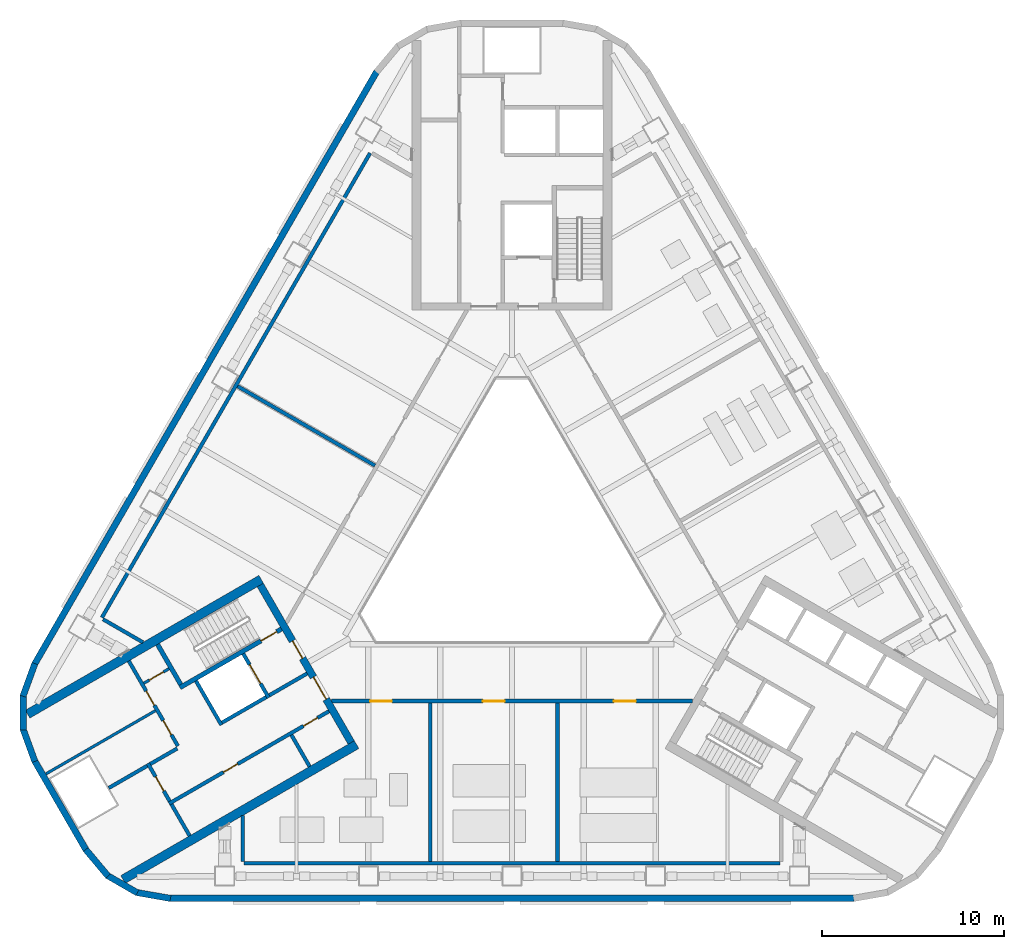
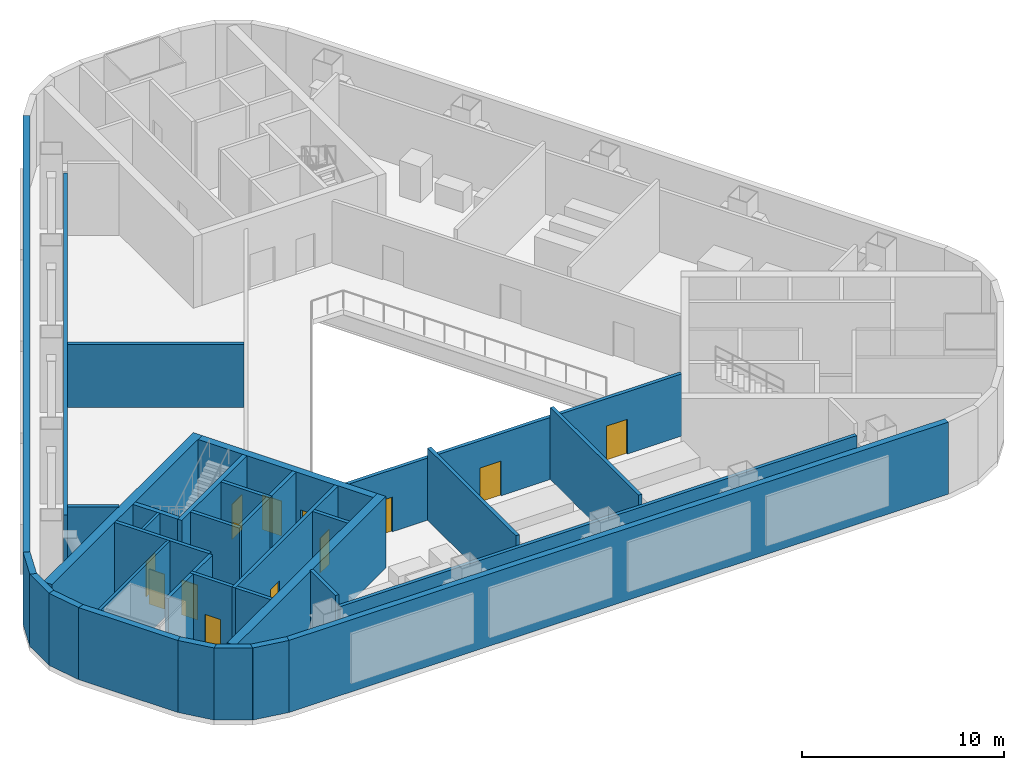
# One storey, part 6 of 14: 35 walls, 13 doors, 13 openings.
"""IFC4 building model written with IfcOpenShell, lengths in metres."""

import ifcopenshell
import ifcopenshell.guid

model = None  # the IFC model being written
_history = None  # IfcOwnerHistory: only IFC2X3 demands one
_inside = {}  # id of a spatial element -> (the spatial element, [elements in it])
_under = {}  # id of a project, library or spatial element -> (it, [spatial elements below it])
_declared = {}  # id of a project -> (the project, [libraries it declares])
_typed = {}  # id of a type object -> (the type object, [elements of that type])
_made_of = {}  # id of a material, layer set ... -> (it, [elements and type objects made of it])


def new_model(schema):
    """Start an empty IFC model of exactly this schema.

    Asked for "IFC4X3", IfcOpenShell would pick the latest addendum, in which some entities
    have other attributes; the version numbers below select the first issue.
    IFC2X3 requires an IfcOwnerHistory on every rooted entity: one is made here for all.
    """
    global model, _history
    if schema == "IFC4X3":
        model = ifcopenshell.file(schema_version=(4, 3, 0, 0))
    else:
        model = ifcopenshell.file(schema=schema)
    _inside.clear()
    _under.clear()
    _declared.clear()
    _typed.clear()
    _made_of.clear()
    _history = None
    if model.schema == "IFC2X3":
        org = make("IfcOrganization", Name="unknown")
        user = make(
            "IfcPersonAndOrganization",
            ThePerson=make("IfcPerson", FamilyName="unknown"),
            TheOrganization=org,
        )
        app = make(
            "IfcApplication",
            ApplicationDeveloper=org,
            Version="unknown",
            ApplicationFullName="unknown",
            ApplicationIdentifier="unknown",
        )
        _history = make(
            "IfcOwnerHistory",
            OwningUser=user,
            OwningApplication=app,
            ChangeAction="ADDED",
            CreationDate=0,
        )
    return model


def make(cls, **values):
    """One entity of the class cls with the attributes given. An attribute that is None is left unset."""
    return model.create_entity(
        cls, **{name: value for name, value in values.items() if value is not None}
    )


def rooted(cls, **values):
    """An entity with a GlobalId (a new one), such as an element, a storey or a relation."""
    return make(cls, GlobalId=ifcopenshell.guid.new(), OwnerHistory=_history, **values)


def si_unit(unit_type, name, prefix=None):
    """IfcSIUnit, for example si_unit("LENGTHUNIT", "METRE", prefix="MILLI")."""
    return make("IfcSIUnit", UnitType=unit_type, Prefix=prefix, Name=name)


def assignment(units):
    """IfcUnitAssignment: the units of a project."""
    return None if units is None else make("IfcUnitAssignment", Units=units)


def point(xyz):
    """IfcCartesianPoint."""
    return None if xyz is None else make("IfcCartesianPoint", Coordinates=xyz)


def direction(xyz):
    """IfcDirection."""
    return None if xyz is None else make("IfcDirection", DirectionRatios=xyz)


def frame(location, z_axis=None, x_axis=None):
    """IfcAxis2Placement3D, a coordinate frame: its origin and axes. An axis left out is left unset."""
    return make(
        "IfcAxis2Placement3D",
        Location=point(location),
        Axis=direction(z_axis),
        RefDirection=direction(x_axis),
    )


def frame_2d(location, x_axis=None):
    """IfcAxis2Placement2D, a coordinate frame in the plane: its origin and x axis."""
    return make(
        "IfcAxis2Placement2D", Location=point(location), RefDirection=direction(x_axis)
    )


def origin():
    """The frame at (0, 0, 0) with its axes left unset."""
    return frame((0.0, 0.0, 0.0))


def place(relative_to, where):
    """IfcLocalPlacement: puts the frame where relative to a parent placement (None: the world)."""
    return make(
        "IfcLocalPlacement", PlacementRelTo=relative_to, RelativePlacement=where
    )


def context(
    kind, dimensions, precision=None, world=None, true_north=None, identifier=None
):
    """IfcGeometricRepresentationContext, for example the 3D "Model" context."""
    return make(
        "IfcGeometricRepresentationContext",
        ContextIdentifier=identifier,
        ContextType=kind,
        CoordinateSpaceDimension=dimensions,
        Precision=precision,
        WorldCoordinateSystem=world,
        TrueNorth=true_north,
    )


def subcontext(parent, identifier, kind, view, scale=None):
    """IfcGeometricRepresentationSubContext, for example "Body" below "Model"."""
    return make(
        "IfcGeometricRepresentationSubContext",
        ContextIdentifier=identifier,
        ContextType=kind,
        ParentContext=parent,
        TargetScale=scale,
        TargetView=view,
    )


def project(units=None, contexts=None):
    """IfcProject with its units and contexts."""
    return rooted(
        "IfcProject",
        Name="project",
        RepresentationContexts=contexts,
        UnitsInContext=assignment(units),
    )


def spatial(cls, under=None, at=None, **own):
    """A site, building, storey or space (cls), placed at a placement, below another one or the project."""
    s = rooted(cls, ObjectPlacement=at, **own)
    if under is not None:
        _under.setdefault(under.id(), (under, []))[1].append(s)
    return s


def profile(cls, at=None, kind="AREA", **sizes):
    """A parametric profile (cls). Its sizes go by their IFC names, for example OverallWidth=200.0."""
    return make(cls, ProfileType=kind, Position=at, **sizes)


def rectangle(**sizes):
    """IfcRectangleProfileDef."""
    return profile("IfcRectangleProfileDef", **sizes)


def extrude(swept, where, along, depth):
    """IfcExtrudedAreaSolid: the profile swept, set in the frame where, extruded along a direction by depth."""
    return make(
        "IfcExtrudedAreaSolid",
        SweptArea=swept,
        Position=where,
        ExtrudedDirection=direction(along),
        Depth=depth,
    )


def shape(context_of_items, identifier, shape_type, items):
    """IfcShapeRepresentation: the items that make up one representation, for example the "Body"."""
    return make(
        "IfcShapeRepresentation",
        ContextOfItems=context_of_items,
        RepresentationIdentifier=identifier,
        RepresentationType=shape_type,
        Items=items,
    )


def material(Name=None, Category=None):
    """IfcMaterial."""
    return make("IfcMaterial", Name=Name, Category=Category)


def layer(
    of_material, thickness, ventilated=None, Name=None, Category=None, Priority=None
):
    """IfcMaterialLayer: one layer of a wall or slab, of a material (None: an air gap)."""
    return make(
        "IfcMaterialLayer",
        Material=of_material,
        LayerThickness=thickness,
        IsVentilated=ventilated,
        Name=Name,
        Category=Category,
        Priority=Priority,
    )


def layer_set(layers, Name=None):
    """IfcMaterialLayerSet."""
    return make("IfcMaterialLayerSet", MaterialLayers=layers, LayerSetName=Name)


def made_of(thing, what):
    """Note that an element or type object is made of a material, layer set ...; save() writes the relation."""
    if what is not None:
        _made_of.setdefault(what.id(), (what, []))[1].append(thing)
    return thing


def type_object(cls, material=None, **own):
    """A type object (cls), such as IfcWallType, which elements share."""
    return made_of(rooted(cls, **own), material)


def element(
    cls,
    number,
    at=None,
    inside=None,
    cuts=None,
    type_object=None,
    material=None,
    context=None,
    identifier="Body",
    shape_type=None,
    held_by="IfcProductDefinitionShape",
    body=None,
    shapes=None,
    **own,
):
    """One element of the class cls, such as IfcWall. Its Tag is "e" and its number.

    at: its placement. inside: the storey or other place that contains it. cuts: it is an
    opening in that element (IfcRelVoidsElement). A single representation is given by context,
    identifier, shape_type and body (its items); several are given by shapes. held_by: the class
    of the entity that holds the representations. save() writes the other relations.
    """
    e = rooted(cls, Tag="e%d" % number, ObjectPlacement=at, **own)
    if body is not None:
        shapes = [shape(context, identifier, shape_type, body)]
    if shapes is not None:
        e.Representation = make(held_by, Representations=shapes)
    if inside is not None:
        _inside.setdefault(inside.id(), (inside, []))[1].append(e)
    if cuts is not None:
        rooted(
            "IfcRelVoidsElement", RelatingBuildingElement=cuts, RelatedOpeningElement=e
        )
    if type_object is not None:
        _typed.setdefault(type_object.id(), (type_object, []))[1].append(e)
    return made_of(e, material)


def fill(opening, filler):
    """IfcRelFillsElement: the door or window that sits in an opening."""
    return rooted(
        "IfcRelFillsElement",
        RelatingOpeningElement=opening,
        RelatedBuildingElement=filler,
    )


def aggregate(whole, parts):
    """IfcRelAggregates: a whole, such as a stair, and the parts it consists of."""
    return rooted("IfcRelAggregates", RelatingObject=whole, RelatedObjects=parts)


def save(model, path):
    """Write the relations noted so far, then the file.

    IfcRelAggregates (storeys below a building ...), IfcRelContainedInSpatialStructure (elements
    in a storey), IfcRelDefinesByType, IfcRelAssociatesMaterial and IfcRelDeclares: one each for
    every whole, place, type object, material and project.
    """
    for whole, parts in _under.values():
        aggregate(whole, parts)
    for where, things in _inside.values():
        rooted(
            "IfcRelContainedInSpatialStructure",
            RelatedElements=things,
            RelatingStructure=where,
        )
    for kind, things in _typed.values():
        rooted("IfcRelDefinesByType", RelatedObjects=things, RelatingType=kind)
    for what, things in _made_of.values():
        rooted("IfcRelAssociatesMaterial", RelatedObjects=things, RelatingMaterial=what)
    for by, libraries in _declared.values():
        rooted("IfcRelDeclares", RelatingContext=by, RelatedDefinitions=libraries)
    model.write(path)


model = new_model("IFC4")

# Units and contexts
model_context = context("Model", 3, precision=1e-05, world=origin(), true_north=direction((0.0, 1.0)))
body_context = subcontext(model_context, "Body", "Model", "MODEL_VIEW")
ifc_project = project(units=[si_unit("LENGTHUNIT", "METRE"), si_unit("AREAUNIT", "SQUARE_METRE"), si_unit("VOLUMEUNIT", "CUBIC_METRE"), si_unit("PLANEANGLEUNIT", "RADIAN"), si_unit("MASSUNIT", "GRAM", prefix="KILO")], contexts=[model_context])

# Site, building, storey
site_placement = place(None, origin())
site = spatial("IfcSite", under=ifc_project, at=site_placement, CompositionType="ELEMENT")
building_placement = place(site_placement, origin())
building = spatial("IfcBuilding", under=site, at=building_placement, Name="Apuvela Tower Hotel", CompositionType="ELEMENT")
storey_placement = place(building_placement, frame((0.0, 0.0, 42.0)))
storey = spatial("IfcBuildingStorey", under=building, at=storey_placement, Name="L07 Plant", CompositionType="ELEMENT", Elevation=42.0)

# Wall, openings, doors
ifc_material_1 = material(Name="Concrete C50/60", Category="concrete")
ifc_layer_1 = layer(ifc_material_1, 0.39990234375)
ifc_layer_set_1 = layer_set([ifc_layer_1], Name="COR-WALL-CORE-400")
wall_type_1 = type_object("IfcWallType", Name="COR-WALL-CORE-400", PredefinedType="SHEAR", material=ifc_layer_set_1)
wall_1_placement = place(storey_placement, frame((-13.844970703125, -2.219970703125, 0.0), z_axis=(0.0, 0.0, 1.0), x_axis=(0.500004234368, -0.866022959057, 0.0)))
wall_1 = element("IfcWall", 1, at=wall_1_placement, inside=storey, type_object=wall_type_1, Name="Core wall SW", PredefinedType="SHEAR", context=body_context, shape_type="SweptSolid", body=[
    extrude(rectangle(XDim=10.0, YDim=0.39990234375, at=frame_2d((5.0, 0.0))), origin(), (0.0, 0.0, 1.0), 4.300048828125),
])
opening_1_placement = place(wall_1_placement, frame((3.550048828125, 0.0, 0.0)))
opening_1 = element("IfcOpeningElement", 2, at=opening_1_placement, cuts=wall_1, Name="Opening W-FD", PredefinedType="OPENING", context=body_context, shape_type="SweptSolid", body=[
    extrude(rectangle(XDim=1.10009765625, YDim=2.10009765625, at=frame_2d((0.550048828125, 1.050048828125))), frame((0.0, 0.2099609375, 0.0), z_axis=(0.0, -1.0, 0.0), x_axis=(1.0, 0.0, 0.0)), (0.0, 0.0, 1.0), 0.419921875),
])
opening_2_placement = place(wall_1_placement, frame((5.85009765625, 0.0, 0.0)))
opening_2 = element("IfcOpeningElement", 3, at=opening_2_placement, cuts=wall_1, Name="Opening W-GD", PredefinedType="OPENING", context=body_context, shape_type="SweptSolid", body=[
    extrude(rectangle(XDim=1.39990234375, YDim=2.10009765625, at=frame_2d((0.699951171875, 1.050048828125))), frame((0.0, 0.2099609375, 0.0), z_axis=(0.0, -1.0, 0.0), x_axis=(1.0, 0.0, 0.0)), (0.0, 0.0, 1.0), 0.419921875),
])
ifc_material_2 = material(Name="Steel fire door, powder coated", Category="steel")
door_type_1 = type_object("IfcDoorType", Name="COR-FD-1100", OperationType="NOTDEFINED", PredefinedType="DOOR", material=ifc_material_2)
door_1_placement = place(opening_1_placement, frame((1.10009765625, 0.0, 0.0), z_axis=(0.0, 0.0, 1.0), x_axis=(-1.0, 0.0, 0.0)))
door_1 = element("IfcDoor", 4, at=door_1_placement, inside=storey, type_object=door_type_1, Name="Firefighting lobby door W-FD", OperationType="SINGLE_SWING_LEFT", OverallHeight=2.10009765625, OverallWidth=1.10009765625, PredefinedType="DOOR", context=body_context, shape_type="SweptSolid", body=[
    extrude(rectangle(XDim=1.10009765625, YDim=2.10009765625, at=frame_2d((0.550048828125, 1.050048828125))), frame((0.0, 0.02490234375, 0.0), z_axis=(0.0, -1.0, 0.0), x_axis=(1.0, 0.0, 0.0)), (0.0, 0.0, 1.0), 0.050048828125),
])
fill(opening_1, door_1)
ifc_material_3 = material(Name="Glazed steel fire door", Category="steel")
door_type_2 = type_object("IfcDoorType", Name="COR-GD-1400", OperationType="DOUBLE_DOOR_SINGLE_SWING", PredefinedType="DOOR", material=ifc_material_3)
door_2_placement = place(opening_2_placement, frame((1.39990234375, 0.0, 0.0), z_axis=(0.0, 0.0, 1.0), x_axis=(-1.0, 0.0, 0.0)))
door_2 = element("IfcDoor", 5, at=door_2_placement, inside=storey, type_object=door_type_2, Name="Lift lobby door W-GD", OperationType="DOUBLE_DOOR_SINGLE_SWING", OverallHeight=2.10009765625, OverallWidth=1.39990234375, PredefinedType="DOOR", context=body_context, shape_type="SweptSolid", body=[
    extrude(rectangle(XDim=1.39990234375, YDim=2.10009765625, at=frame_2d((0.699951171875, 1.050048828125))), frame((0.0, 0.02490234375, 0.0), z_axis=(0.0, -1.0, 0.0), x_axis=(1.0, 0.0, 0.0)), (0.0, 0.0, 1.0), 0.050048828125),
])
fill(opening_2, door_2)

# Walls
ifc_layer_2 = layer(ifc_material_1, 0.5)
ifc_layer_set_2 = layer_set([ifc_layer_2], Name="COR-WALL-CORE-500")
wall_type_2 = type_object("IfcWallType", Name="COR-WALL-CORE-500", PredefinedType="SHEAR", material=ifc_layer_set_2)
for number, where, z_axis, x_axis, name in (
    (6, (-13.796630859375, -1.9033203125, 0.0), (0.0, 0.0, 1.0), (-0.866025009528, -0.500000682871, 0.0), "Core wall SW"),
    (7, (-8.546630859375, -10.99658203125, 0.0), (0.0, 0.0, 1.0), (-0.866025009528, -0.500000682871, 0.0), "Core wall SW"),
):
    element("IfcWall", number, at=place(storey_placement, frame(where, z_axis=z_axis, x_axis=x_axis)), inside=storey, type_object=wall_type_2, Name=name, PredefinedType="SHEAR", context=body_context, shape_type="SweptSolid", body=[
        extrude(rectangle(XDim=14.8369140625, YDim=0.5, at=frame_2d((7.41845703125, 0.0))), origin(), (0.0, 0.0, 1.0), 4.300048828125),
    ])

# Wall, opening, door
ifc_material_4 = material(Name="Blockwork 150 mm plastered", Category="masonry")
ifc_layer_3 = layer(ifc_material_4, 0.14990234375)
ifc_layer_set_3 = layer_set([ifc_layer_3], Name="COR-WALL-PART-150")
wall_type_3 = type_object("IfcWallType", Name="COR-WALL-PART-150", PredefinedType="PARTITIONING", material=ifc_layer_set_3)
wall_2_placement = place(storey_placement, frame((-18.866455078125, -6.822265625, 0.0), z_axis=(0.0, 0.0, 1.0), x_axis=(-0.866028054938, -0.499995408039, 0.0)))
wall_2 = element("IfcWall", 8, at=wall_2_placement, inside=storey, type_object=wall_type_3, Name="Partition SW", PredefinedType="PARTITIONING", context=body_context, shape_type="SweptSolid", body=[
    extrude(rectangle(XDim=1.60009765625, YDim=0.14990234375, at=frame_2d((0.800048828125, 0.0))), origin(), (0.0, 0.0, 1.0), 4.300048828125),
])
opening_3_placement = place(wall_2_placement, frame((0.35009765625, 0.0, 0.0)))
opening_3 = element("IfcOpeningElement", 9, at=opening_3_placement, cuts=wall_2, Name="Opening W-RD", PredefinedType="OPENING", context=body_context, shape_type="SweptSolid", body=[
    extrude(rectangle(XDim=0.89990234375, YDim=2.10009765625, at=frame_2d((0.449951171875, 1.050048828125))), frame((0.0, 0.0849609375, 0.0), z_axis=(0.0, -1.0, 0.0), x_axis=(1.0, 0.0, 0.0)), (0.0, 0.0, 1.0), 0.169921875),
])
ifc_material_5 = material(Name="Steel access door, powder coated", Category="steel")
door_type_3 = type_object("IfcDoorType", Name="COR-RD-900", OperationType="NOTDEFINED", PredefinedType="DOOR", material=ifc_material_5)
door_3_placement = place(opening_3_placement, frame((0.89990234375, 0.0, 0.0), z_axis=(0.0, 0.0, 1.0), x_axis=(-1.0, 0.0, 0.0)))
door_3 = element("IfcDoor", 10, at=door_3_placement, inside=storey, type_object=door_type_3, Name="Riser door W-RD", OperationType="SINGLE_SWING_RIGHT", OverallHeight=2.10009765625, OverallWidth=0.89990234375, PredefinedType="DOOR", context=body_context, shape_type="SweptSolid", body=[
    extrude(rectangle(XDim=0.89990234375, YDim=2.10009765625, at=frame_2d((0.449951171875, 1.050048828125))), frame((0.0, 0.02490234375, 0.0), z_axis=(0.0, -1.0, 0.0), x_axis=(1.0, 0.0, 0.0)), (0.0, 0.0, 1.0), 0.050048828125),
])
fill(opening_3, door_3)

# Wall
wall_3_placement = place(storey_placement, frame((-19.61279296875, -9.129638671875, 0.0), z_axis=(0.0, 0.0, 1.0), x_axis=(-0.866031734426, -0.499989034847, 0.0)))
element("IfcWall", 11, at=wall_3_placement, inside=storey, type_object=wall_type_3, Name="Partition SW", PredefinedType="PARTITIONING", context=body_context, shape_type="SweptSolid", body=[
    extrude(rectangle(XDim=6.949951171875, YDim=0.14990234375, at=frame_2d((3.47509765625, 0.0))), origin(), (0.0, 0.0, 1.0), 4.300048828125),
])

# Wall, openings, doors
ifc_material_6 = material(Name="Blockwork 200 mm plastered", Category="masonry")
ifc_layer_4 = layer(ifc_material_6, 0.199951171875)
ifc_layer_set_4 = layer_set([ifc_layer_4], Name="COR-WALL-PART-200")
wall_type_4 = type_object("IfcWallType", Name="COR-WALL-PART-200", PredefinedType="PARTITIONING", material=ifc_layer_set_4)
wall_4_placement = place(storey_placement, frame((-21.076171875, -6.39501953125, 0.0), z_axis=(0.0, 0.0, 1.0), x_axis=(0.50001468107, -0.866016927499, 0.0)))
wall_4 = element("IfcWall", 12, at=wall_4_placement, inside=storey, type_object=wall_type_4, Name="Partition SW", PredefinedType="PARTITIONING", context=body_context, shape_type="SweptSolid", body=[
    extrude(rectangle(XDim=5.399658203125, YDim=0.199951171875, at=frame_2d((2.69970703125, 0.0))), origin(), (0.0, 0.0, 1.0), 4.300048828125),
])
opening_4_placement = place(wall_4_placement, frame((1.91259765625, 0.0, 0.0)))
opening_4 = element("IfcOpeningElement", 13, at=opening_4_placement, cuts=wall_4, Name="Opening W-RS1", PredefinedType="OPENING", context=body_context, shape_type="SweptSolid", body=[
    extrude(rectangle(XDim=0.89990234375, YDim=2.10009765625, at=frame_2d((0.449951171875, 1.050048828125))), frame((0.0, 0.10986328125, 0.0), z_axis=(0.0, -1.0, 0.0), x_axis=(1.0, 0.0, 0.0)), (0.0, 0.0, 1.0), 0.219970703125),
])
opening_5_placement = place(wall_4_placement, frame((3.78759765625, 0.0, 0.0)))
opening_5 = element("IfcOpeningElement", 14, at=opening_5_placement, cuts=wall_4, Name="Opening W-RS2", PredefinedType="OPENING", context=body_context, shape_type="SweptSolid", body=[
    extrude(rectangle(XDim=0.89990234375, YDim=2.10009765625, at=frame_2d((0.449951171875, 1.050048828125))), frame((0.0, 0.10986328125, 0.0), z_axis=(0.0, -1.0, 0.0), x_axis=(1.0, 0.0, 0.0)), (0.0, 0.0, 1.0), 0.219970703125),
])
door_type_4 = type_object("IfcDoorType", Name="COR-DR-900", OperationType="NOTDEFINED", PredefinedType="DOOR", material=ifc_material_2)
door_4_placement = place(opening_4_placement, frame((0.89990234375, 0.0, 0.0), z_axis=(0.0, 0.0, 1.0), x_axis=(-1.0, 0.0, 0.0)))
door_4 = element("IfcDoor", 15, at=door_4_placement, inside=storey, type_object=door_type_4, Name="Store door W-RS1", OperationType="SINGLE_SWING_LEFT", OverallHeight=2.10009765625, OverallWidth=0.89990234375, PredefinedType="DOOR", context=body_context, shape_type="SweptSolid", body=[
    extrude(rectangle(XDim=0.89990234375, YDim=2.10009765625, at=frame_2d((0.449951171875, 1.050048828125))), frame((0.0, 0.02490234375, 0.0), z_axis=(0.0, -1.0, 0.0), x_axis=(1.0, 0.0, 0.0)), (0.0, 0.0, 1.0), 0.050048828125),
])
fill(opening_4, door_4)
door_5_placement = place(opening_5_placement, frame((0.89990234375, 0.0, 0.0), z_axis=(0.0, 0.0, 1.0), x_axis=(-1.0, 0.0, 0.0)))
door_5 = element("IfcDoor", 16, at=door_5_placement, inside=storey, type_object=door_type_4, Name="Store door W-RS2", OperationType="SINGLE_SWING_LEFT", OverallHeight=2.10009765625, OverallWidth=0.89990234375, PredefinedType="DOOR", context=body_context, shape_type="SweptSolid", body=[
    extrude(rectangle(XDim=0.89990234375, YDim=2.10009765625, at=frame_2d((0.449951171875, 1.050048828125))), frame((0.0, 0.02490234375, 0.0), z_axis=(0.0, -1.0, 0.0), x_axis=(1.0, 0.0, 0.0)), (0.0, 0.0, 1.0), 0.050048828125),
])
fill(opening_5, door_5)

# Wall
ifc_layer_5 = layer(ifc_material_1, 0.199951171875)
ifc_layer_set_5 = layer_set([ifc_layer_5], Name="COR-WALL-SHAFT-200")
wall_type_5 = type_object("IfcWallType", Name="COR-WALL-SHAFT-200", PredefinedType="SHEAR", material=ifc_layer_set_5)
wall_5_placement = place(storey_placement, frame((-17.38134765625, -7.49462890625, 0.0), z_axis=(0.0, 0.0, 1.0), x_axis=(0.500011755427, -0.866018616679, 0.0)))
element("IfcWall", 17, at=wall_5_placement, inside=storey, type_object=wall_type_5, Name="Shaft wall SW", PredefinedType="SHEAR", context=body_context, shape_type="SweptSolid", body=[
    extrude(rectangle(XDim=2.80029296875, YDim=0.199951171875, at=frame_2d((1.400146484375, 0.0))), origin(), (0.0, 0.0, 1.0), 4.300048828125),
])

# Wall, opening, door
wall_6_placement = place(storey_placement, frame((-14.783203125, -5.99462890625, 0.0), z_axis=(0.0, 0.0, 1.0), x_axis=(0.49994636267, -0.866056369097, 0.0)))
wall_6 = element("IfcWall", 18, at=wall_6_placement, inside=storey, type_object=wall_type_5, Name="Shaft wall SW", PredefinedType="SHEAR", context=body_context, shape_type="SweptSolid", body=[
    extrude(rectangle(XDim=2.800048828125, YDim=0.199951171875, at=frame_2d((1.39990234375, 0.0))), origin(), (0.0, 0.0, 1.0), 4.300048828125),
])
opening_6_placement = place(wall_6_placement, frame((0.699951171875, 0.0, 0.0)))
opening_6 = element("IfcOpeningElement", 19, at=opening_6_placement, cuts=wall_6, Name="Opening W-LD-FS2", PredefinedType="OPENING", context=body_context, shape_type="SweptSolid", body=[
    extrude(rectangle(XDim=1.199951171875, YDim=2.10009765625, at=frame_2d((0.60009765625, 1.050048828125))), frame((0.0, 0.10986328125, 0.0), z_axis=(0.0, -1.0, 0.0), x_axis=(1.0, 0.0, 0.0)), (0.0, 0.0, 1.0), 0.219970703125),
])
ifc_material_7 = material(Name="Stainless steel lift landing door", Category="steel")
door_type_5 = type_object("IfcDoorType", Name="COR-LD-1200", OperationType="DOUBLE_DOOR_SLIDING", PredefinedType="DOOR", material=ifc_material_7)
door_6_placement = place(opening_6_placement, origin())
door_6 = element("IfcDoor", 20, at=door_6_placement, inside=storey, type_object=door_type_5, Name="Lift landing door W-LD-FS2", OperationType="DOUBLE_DOOR_SLIDING", OverallHeight=2.10009765625, OverallWidth=1.199951171875, PredefinedType="DOOR", context=body_context, shape_type="SweptSolid", body=[
    extrude(rectangle(XDim=1.199951171875, YDim=2.10009765625, at=frame_2d((0.60009765625, 1.050048828125))), frame((0.0, 0.02490234375, 0.0), z_axis=(0.0, -1.0, 0.0), x_axis=(1.0, 0.0, 0.0)), (0.0, 0.0, 1.0), 0.050048828125),
])
fill(opening_6, door_6)

# Walls
wall_7_placement = place(storey_placement, frame((-13.519775390625, -8.383056640625, 0.0), z_axis=(0.0, 0.0, 1.0), x_axis=(-0.866034573852, -0.49998411664, 0.0)))
element("IfcWall", 21, at=wall_7_placement, inside=storey, type_object=wall_type_5, Name="Shaft wall SW", PredefinedType="SHEAR", context=body_context, shape_type="SweptSolid", body=[
    extrude(rectangle(XDim=2.7998046875, YDim=0.199951171875, at=frame_2d((1.39990234375, 0.0))), origin(), (0.0, 0.0, 1.0), 4.300048828125),
])
wall_8_placement = place(storey_placement, frame((-11.26806640625, -7.0830078125, 0.0), z_axis=(0.0, 0.0, 1.0), x_axis=(-0.866050077142, -0.499957262057, 0.0)))
element("IfcWall", 22, at=wall_8_placement, inside=storey, type_object=wall_type_5, Name="Shaft wall SW", PredefinedType="SHEAR", context=body_context, shape_type="SweptSolid", body=[
    extrude(rectangle(XDim=2.400146484375, YDim=0.199951171875, at=frame_2d((1.2001953125, 0.0))), origin(), (0.0, 0.0, 1.0), 4.300048828125),
])

# Wall, openings, doors
wall_9_placement = place(storey_placement, frame((-10.068115234375, -9.16162109375, 0.0), z_axis=(0.0, 0.0, 1.0), x_axis=(-0.866032725843, -0.499987317609, 0.0)))
wall_9 = element("IfcWall", 23, at=wall_9_placement, inside=storey, type_object=wall_type_5, Name="Shaft wall SW", PredefinedType="SHEAR", context=body_context, shape_type="SweptSolid", body=[
    extrude(rectangle(XDim=10.159912109375, YDim=0.199951171875, at=frame_2d((5.080078125, 0.0))), origin(), (0.0, 0.0, 1.0), 4.300048828125),
])
opening_7_placement = place(wall_9_placement, frame((0.719970703125, 0.0, 0.0)))
opening_7 = element("IfcOpeningElement", 24, at=opening_7_placement, cuts=wall_9, Name="Opening W-RE1", PredefinedType="OPENING", context=body_context, shape_type="SweptSolid", body=[
    extrude(rectangle(XDim=0.89990234375, YDim=2.10009765625, at=frame_2d((0.449951171875, 1.050048828125))), frame((0.0, 0.10986328125, 0.0), z_axis=(0.0, -1.0, 0.0), x_axis=(1.0, 0.0, 0.0)), (0.0, 0.0, 1.0), 0.219970703125),
])
opening_8_placement = place(wall_9_placement, frame((5.800048828125, 0.0, 0.0)))
opening_8 = element("IfcOpeningElement", 25, at=opening_8_placement, cuts=wall_9, Name="Opening W-RE2", PredefinedType="OPENING", context=body_context, shape_type="SweptSolid", body=[
    extrude(rectangle(XDim=0.89990234375, YDim=2.10009765625, at=frame_2d((0.449951171875, 1.050048828125))), frame((0.0, 0.10986328125, 0.0), z_axis=(0.0, -1.0, 0.0), x_axis=(1.0, 0.0, 0.0)), (0.0, 0.0, 1.0), 0.219970703125),
])
door_7_placement = place(opening_7_placement, origin())
door_7 = element("IfcDoor", 26, at=door_7_placement, inside=storey, type_object=door_type_4, Name="Store door W-RE1", OperationType="SINGLE_SWING_LEFT", OverallHeight=2.10009765625, OverallWidth=0.89990234375, PredefinedType="DOOR", context=body_context, shape_type="SweptSolid", body=[
    extrude(rectangle(XDim=0.89990234375, YDim=2.10009765625, at=frame_2d((0.449951171875, 1.050048828125))), frame((0.0, 0.02490234375, 0.0), z_axis=(0.0, -1.0, 0.0), x_axis=(1.0, 0.0, 0.0)), (0.0, 0.0, 1.0), 0.050048828125),
])
fill(opening_7, door_7)
door_8_placement = place(opening_8_placement, origin())
door_8 = element("IfcDoor", 27, at=door_8_placement, inside=storey, type_object=door_type_4, Name="Store door W-RE2", OperationType="SINGLE_SWING_RIGHT", OverallHeight=2.10009765625, OverallWidth=0.89990234375, PredefinedType="DOOR", context=body_context, shape_type="SweptSolid", body=[
    extrude(rectangle(XDim=0.89990234375, YDim=2.10009765625, at=frame_2d((0.449951171875, 1.050048828125))), frame((0.0, 0.02490234375, 0.0), z_axis=(0.0, -1.0, 0.0), x_axis=(1.0, 0.0, 0.0)), (0.0, 0.0, 1.0), 0.050048828125),
])
fill(opening_8, door_8)

# Wall, opening, door
wall_10_placement = place(storey_placement, frame((-20.030517578125, -12.0263671875, 0.0), z_axis=(0.0, 0.0, 1.0), x_axis=(0.500033551112, -0.866006032174, 0.0)))
wall_10 = element("IfcWall", 28, at=wall_10_placement, inside=storey, type_object=wall_type_5, Name="Shaft wall SW", PredefinedType="SHEAR", context=body_context, shape_type="SweptSolid", body=[
    extrude(rectangle(XDim=2.400146484375, YDim=0.199951171875, at=frame_2d((1.2001953125, 0.0))), origin(), (0.0, 0.0, 1.0), 4.300048828125),
])
opening_9_placement = place(wall_10_placement, frame((0.85009765625, 0.0, 0.0)))
opening_9 = element("IfcOpeningElement", 29, at=opening_9_placement, cuts=wall_10, Name="Opening W-REP", PredefinedType="OPENING", context=body_context, shape_type="SweptSolid", body=[
    extrude(rectangle(XDim=0.89990234375, YDim=2.10009765625, at=frame_2d((0.449951171875, 1.050048828125))), frame((0.0, 0.10986328125, 0.0), z_axis=(0.0, -1.0, 0.0), x_axis=(1.0, 0.0, 0.0)), (0.0, 0.0, 1.0), 0.219970703125),
])
door_9_placement = place(opening_9_placement, frame((0.89990234375, 0.0, 0.0), z_axis=(0.0, 0.0, 1.0), x_axis=(-1.0, 0.0, 0.0)))
door_9 = element("IfcDoor", 30, at=door_9_placement, inside=storey, type_object=door_type_4, Name="Store door W-REP", OperationType="SINGLE_SWING_LEFT", OverallHeight=2.10009765625, OverallWidth=0.89990234375, PredefinedType="DOOR", context=body_context, shape_type="SweptSolid", body=[
    extrude(rectangle(XDim=0.89990234375, YDim=2.10009765625, at=frame_2d((0.449951171875, 1.050048828125))), frame((0.0, 0.02490234375, 0.0), z_axis=(0.0, -1.0, 0.0), x_axis=(1.0, 0.0, 0.0)), (0.0, 0.0, 1.0), 0.050048828125),
])
fill(opening_9, door_9)

# Walls
wall_11_placement = place(storey_placement, frame((-18.412841796875, -11.2080078125, 0.0), z_axis=(0.0, 0.0, 1.0), x_axis=(-0.866038183914, -0.499977863513, 0.0)))
element("IfcWall", 31, at=wall_11_placement, inside=storey, type_object=wall_type_5, Name="Shaft wall SW", PredefinedType="SHEAR", context=body_context, shape_type="SweptSolid", body=[
    extrude(rectangle(XDim=1.7099609375, YDim=0.199951171875, at=frame_2d((0.85498046875, 0.0))), origin(), (0.0, 0.0, 1.0), 4.300048828125),
])
for number, where, z_axis, x_axis, name in (
    (32, (-12.131103515625, -10.468017578125, 0.0), (0.0, 0.0, 1.0), (0.499972520799, -0.866041268327, 0.0), "Shaft wall SW"),
    (33, (-18.73046875, -14.278076171875, 0.0), (0.0, 0.0, 1.0), (0.50002537861, -0.866010750942, 0.0), "Shaft wall SW"),
):
    element("IfcWall", number, at=place(storey_placement, frame(where, z_axis=z_axis, x_axis=x_axis)), inside=storey, type_object=wall_type_5, Name=name, PredefinedType="SHEAR", context=body_context, shape_type="SweptSolid", body=[
        extrude(rectangle(XDim=2.0, YDim=0.199951171875, at=frame_2d((1.0, 0.0))), origin(), (0.0, 0.0, 1.0), 4.300048828125),
    ])
wall_12_placement = place(storey_placement, frame((-20.06689453125, -12.1630859375, 0.0), z_axis=(0.0, 0.0, 1.0), x_axis=(-0.866048967903, -0.499959183527, 0.0)))
element("IfcWall", 34, at=wall_12_placement, inside=storey, type_object=wall_type_5, Name="Shaft wall SW", PredefinedType="SHEAR", context=body_context, shape_type="SweptSolid", body=[
    extrude(rectangle(XDim=2.440185546875, YDim=0.199951171875, at=frame_2d((1.22021484375, 0.0))), origin(), (0.0, 0.0, 1.0), 4.300048828125),
])

# Wall, opening, door
ifc_layer_6 = layer(ifc_material_1, 0.25)
ifc_layer_set_6 = layer_set([ifc_layer_6], Name="COR-WALL-STAIR-250")
wall_type_6 = type_object("IfcWallType", Name="COR-WALL-STAIR-250", PredefinedType="SHEAR", material=ifc_layer_set_6)
wall_13_placement = place(storey_placement, frame((-12.6806640625, -4.636474609375, 0.0), z_axis=(0.0, 0.0, 1.0), x_axis=(-0.866021702275, -0.500006411147, 0.0)))
wall_13 = element("IfcWall", 35, at=wall_13_placement, inside=storey, type_object=wall_type_6, Name="Stair wall SW", PredefinedType="SHEAR", context=body_context, shape_type="SweptSolid", body=[
    extrude(rectangle(XDim=6.4501953125, YDim=0.25, at=frame_2d((3.22509765625, 0.0))), origin(), (0.0, 0.0, 1.0), 4.300048828125),
])
opening_10_placement = place(wall_13_placement, frame((0.300048828125, 0.0, 0.0)))
opening_10 = element("IfcOpeningElement", 36, at=opening_10_placement, cuts=wall_13, Name="Opening W-SD", PredefinedType="OPENING", context=body_context, shape_type="SweptSolid", body=[
    extrude(rectangle(XDim=1.0, YDim=2.10009765625, at=frame_2d((0.5, 1.050048828125))), frame((0.0, 0.135009765625, 0.0), z_axis=(0.0, -1.0, 0.0), x_axis=(1.0, 0.0, 0.0)), (0.0, 0.0, 1.0), 0.27001953125),
])
door_type_6 = type_object("IfcDoorType", Name="COR-SD-1000", OperationType="NOTDEFINED", PredefinedType="DOOR", material=ifc_material_2)
door_10_placement = place(opening_10_placement, frame((1.0, 0.0, 0.0), z_axis=(0.0, 0.0, 1.0), x_axis=(-1.0, 0.0, 0.0)))
door_10 = element("IfcDoor", 37, at=door_10_placement, inside=storey, type_object=door_type_6, Name="Stair door W-SD", OperationType="SINGLE_SWING_LEFT", OverallHeight=2.10009765625, OverallWidth=1.0, PredefinedType="DOOR", context=body_context, shape_type="SweptSolid", body=[
    extrude(rectangle(XDim=1.0, YDim=2.10009765625, at=frame_2d((0.5, 1.050048828125))), frame((0.0, 0.02490234375, 0.0), z_axis=(0.0, -1.0, 0.0), x_axis=(1.0, 0.0, 0.0)), (0.0, 0.0, 1.0), 0.050048828125),
])
fill(opening_10, door_10)

# Walls
wall_14_placement = place(storey_placement, frame((-19.49560546875, -5.482421875, 0.0), z_axis=(0.0, 0.0, 1.0), x_axis=(0.499990435942, -0.866030925526, 0.0)))
element("IfcWall", 38, at=wall_14_placement, inside=storey, type_object=wall_type_6, Name="Stair wall SW", PredefinedType="SHEAR", context=body_context, shape_type="SweptSolid", body=[
    extrude(rectangle(XDim=2.5498046875, YDim=0.25, at=frame_2d((1.27490234375, 0.0))), origin(), (0.0, 0.0, 1.0), 4.300048828125),
])
ifc_material_8 = material(Name="Concrete C40/50, dark pigmented precast panel", Category="concrete")
ifc_layer_7 = layer(ifc_material_8, 0.35009765625)
ifc_layer_set_7 = layer_set([ifc_layer_7], Name="ENV-WALL-350")
wall_type_7 = type_object("IfcWallType", Name="ENV-WALL-350", PredefinedType="SOLIDWALL", material=ifc_layer_set_7)
wall_15_placement = place(storey_placement, frame((-7.440673828125, 26.0224609375, 0.0), z_axis=(0.0, 0.0, 1.0), x_axis=(-0.499998380999, -0.866026338513, 0.0)))
element("IfcWall", 39, at=wall_15_placement, inside=storey, type_object=wall_type_7, Name="External wall L07 Plant-07", PredefinedType="SOLIDWALL", context=body_context, shape_type="SweptSolid", body=[
    extrude(rectangle(XDim=37.63134765625, YDim=0.35009765625, at=frame_2d((18.815673828125, 0.0))), origin(), (0.0, 0.0, 1.0), 4.35009765625),
])
for number, where, z_axis, x_axis, name in (
    (40, (-26.24365234375, -6.539794921875, 0.0), (0.0, 0.0, 1.0), (-0.342030395486, -0.939688889242, 0.0), "External wall L07 Plant-08"),
    (41, (-26.88623046875, -8.27490234375, 0.0), (0.0, 0.0, 1.0), (0.0, -1.0, 0.0), "External wall L07 Plant-09"),
    (42, (-26.89697265625, -10.125244140625, 0.0), (0.0, 0.0, 1.0), (0.342030395486, -0.939688889242, 0.0), "External wall L07 Plant-10"),
):
    element("IfcWall", number, at=place(storey_placement, frame(where, z_axis=z_axis, x_axis=x_axis)), inside=storey, type_object=wall_type_7, Name=name, PredefinedType="SOLIDWALL", context=body_context, shape_type="SweptSolid", body=[
        extrude(rectangle(XDim=1.91015625, YDim=0.35009765625, at=frame_2d((0.955078125, 0.0))), origin(), (0.0, 0.0, 1.0), 4.35009765625),
    ])
wall_16_placement = place(storey_placement, frame((-26.25634765625, -11.892578125, 0.0), z_axis=(0.0, 0.0, 1.0), x_axis=(0.499986410639, -0.866033249463, 0.0)))
element("IfcWall", 43, at=wall_16_placement, inside=storey, type_object=wall_type_7, Name="External wall L07 Plant-11", PredefinedType="SOLIDWALL", context=body_context, shape_type="SweptSolid", body=[
    extrude(rectangle(XDim=5.657958984375, YDim=0.35009765625, at=frame_2d((2.8291015625, 0.0))), origin(), (0.0, 0.0, 1.0), 4.35009765625),
])
for number, where, z_axis, x_axis, name in (
    (44, (-23.44482421875, -16.767578125, 0.0), (0.0, 0.0, 1.0), (0.642808304945, -0.766027077259, 0.0), "External wall L07 Plant-12"),
    (45, (-22.263671875, -18.191650390625, 0.0), (0.0, 0.0, 1.0), (0.866000389056, -0.500043324278, 0.0), "External wall L07 Plant-13"),
):
    element("IfcWall", number, at=place(storey_placement, frame(where, z_axis=z_axis, x_axis=x_axis)), inside=storey, type_object=wall_type_7, Name=name, PredefinedType="SOLIDWALL", context=body_context, shape_type="SweptSolid", body=[
        extrude(rectangle(XDim=1.909912109375, YDim=0.35009765625, at=frame_2d((0.955078125, 0.0))), origin(), (0.0, 0.0, 1.0), 4.35009765625),
    ])
wall_17_placement = place(storey_placement, frame((-20.66650390625, -19.1259765625, 0.0), z_axis=(0.0, 0.0, 1.0), x_axis=(0.984798995425, -0.173697837091, 0.0)))
element("IfcWall", 46, at=wall_17_placement, inside=storey, type_object=wall_type_7, Name="External wall L07 Plant-14", PredefinedType="SOLIDWALL", context=body_context, shape_type="SweptSolid", body=[
    extrude(rectangle(XDim=1.91015625, YDim=0.35009765625, at=frame_2d((0.955078125, 0.0))), origin(), (0.0, 0.0, 1.0), 4.35009765625),
])
wall_18_placement = place(storey_placement, frame((-18.81591796875, -19.455078125, 0.0), z_axis=(0.0, 0.0, 1.0), x_axis=(1.0, 0.0, 0.0)))
element("IfcWall", 47, at=wall_18_placement, inside=storey, type_object=wall_type_7, Name="External wall L07 Plant-15", PredefinedType="SOLIDWALL", context=body_context, shape_type="SweptSolid", body=[
    extrude(rectangle(XDim=37.6318359375, YDim=0.35009765625, at=frame_2d((18.81591796875, 0.0))), origin(), (0.0, 0.0, 1.0), 4.35009765625),
])
ifc_material_9 = material(Name="Reinforced blockwork B15", Category="masonry")
ifc_layer_8 = layer(ifc_material_9, 0.199951171875)
ifc_layer_set_8 = layer_set([ifc_layer_8], Name="SPC-WALL-PLANT")
wall_type_8 = type_object("IfcWallType", Name="SPC-WALL-PLANT", PredefinedType="PARTITIONING", material=ifc_layer_set_8)
wall_19_placement = place(storey_placement, frame((-14.800048828125, -17.429931640625, 0.0), z_axis=(0.0, 0.0, 1.0), x_axis=(0.0, 1.0, 0.0)))
element("IfcWall", 48, at=wall_19_placement, inside=storey, type_object=wall_type_8, Name="Wall L07-S-P03", PredefinedType="PARTITIONING", context=body_context, shape_type="SweptSolid", body=[
    extrude(rectangle(XDim=2.534423828125, YDim=0.199951171875, at=frame_2d((1.26708984375, 0.0))), origin(), (0.0, 0.0, 1.0), 4.35009765625),
])
for number, where, z_axis, x_axis, name in (
    (49, (-4.5, -17.429931640625, 0.0), (0.0, 0.0, 1.0), (0.0, 1.0, 0.0), "Wall L07-S-P04"),
    (50, (2.5, -17.429931640625, 0.0), (0.0, 0.0, 1.0), (0.0, 1.0, 0.0), "Wall L07-S-P05"),
):
    element("IfcWall", number, at=place(storey_placement, frame(where, z_axis=z_axis, x_axis=x_axis)), inside=storey, type_object=wall_type_8, Name=name, PredefinedType="PARTITIONING", context=body_context, shape_type="SweptSolid", body=[
        extrude(rectangle(XDim=8.72998046875, YDim=0.199951171875, at=frame_2d((4.364990234375, 0.0))), origin(), (0.0, 0.0, 1.0), 4.35009765625),
    ])
wall_20_placement = place(storey_placement, frame((-14.75, -17.530029296875, 0.0), z_axis=(0.0, 0.0, 1.0), x_axis=(1.0, 0.0, 0.0)))
element("IfcWall", 51, at=wall_20_placement, inside=storey, type_object=wall_type_8, Name="Wall L07-S-FUR2", PredefinedType="PARTITIONING", context=body_context, shape_type="SweptSolid", body=[
    extrude(rectangle(XDim=29.5, YDim=0.199951171875, at=frame_2d((14.75, 0.0))), origin(), (0.0, 0.0, 1.0), 3.75),
])

# Wall, openings, doors
wall_21_placement = place(storey_placement, frame((-9.930419921875, -8.60009765625, 0.0), z_axis=(0.0, 0.0, 1.0), x_axis=(1.0, 0.0, 0.0)))
wall_21 = element("IfcWall", 52, at=wall_21_placement, inside=storey, type_object=wall_type_8, Name="Wall L07-S-CW", PredefinedType="PARTITIONING", context=body_context, shape_type="SweptSolid", body=[
    extrude(rectangle(XDim=19.86083984375, YDim=0.199951171875, at=frame_2d((9.930419921875, 0.0))), origin(), (0.0, 0.0, 1.0), 3.75),
])
opening_11_placement = place(wall_21_placement, frame((2.12109375, 0.0, 0.0)))
opening_11 = element("IfcOpeningElement", 53, at=opening_11_placement, cuts=wall_21, Name="Opening L07-S04", PredefinedType="OPENING", context=body_context, shape_type="SweptSolid", body=[
    extrude(rectangle(XDim=1.199951171875, YDim=2.10009765625, at=frame_2d((0.60009765625, 1.050048828125))), frame((0.0, 0.10986328125, 0.0), z_axis=(0.0, -1.0, 0.0), x_axis=(1.0, 0.0, 0.0)), (0.0, 0.0, 1.0), 0.219970703125),
])
opening_12_placement = place(wall_21_placement, frame((8.33056640625, 0.0, 0.0)))
opening_12 = element("IfcOpeningElement", 54, at=opening_12_placement, cuts=wall_21, Name="Opening L07-S05", PredefinedType="OPENING", context=body_context, shape_type="SweptSolid", body=[
    extrude(rectangle(XDim=1.199951171875, YDim=2.10009765625, at=frame_2d((0.60009765625, 1.050048828125))), frame((0.0, 0.10986328125, 0.0), z_axis=(0.0, -1.0, 0.0), x_axis=(1.0, 0.0, 0.0)), (0.0, 0.0, 1.0), 0.219970703125),
])
opening_13_placement = place(wall_21_placement, frame((15.5400390625, 0.0, 0.0)))
opening_13 = element("IfcOpeningElement", 55, at=opening_13_placement, cuts=wall_21, Name="Opening L07-S06", PredefinedType="OPENING", context=body_context, shape_type="SweptSolid", body=[
    extrude(rectangle(XDim=1.199951171875, YDim=2.10009765625, at=frame_2d((0.60009765625, 1.050048828125))), frame((0.0, 0.10986328125, 0.0), z_axis=(0.0, -1.0, 0.0), x_axis=(1.0, 0.0, 0.0)), (0.0, 0.0, 1.0), 0.219970703125),
])
ifc_material_10 = material(Name="Steel fire door leaf", Category="steel")
door_type_7 = type_object("IfcDoorType", Name="SPC-DOOR-1200-PLANT", OperationType="NOTDEFINED", PredefinedType="DOOR", material=ifc_material_10)
door_11_placement = place(opening_11_placement, frame((1.199951171875, 0.0, 0.0), z_axis=(0.0, 0.0, 1.0), x_axis=(-1.0, 0.0, 0.0)))
door_11 = element("IfcDoor", 56, at=door_11_placement, inside=storey, type_object=door_type_7, Name="L07-S04", OperationType="SINGLE_SWING_LEFT", OverallHeight=2.10009765625, OverallWidth=1.199951171875, PredefinedType="DOOR", context=body_context, shape_type="SweptSolid", body=[
    extrude(rectangle(XDim=1.199951171875, YDim=2.10009765625, at=frame_2d((0.60009765625, 1.050048828125))), frame((0.0, 0.02490234375, 0.0), z_axis=(0.0, -1.0, 0.0), x_axis=(1.0, 0.0, 0.0)), (0.0, 0.0, 1.0), 0.050048828125),
])
fill(opening_11, door_11)
door_12_placement = place(opening_12_placement, frame((1.199951171875, 0.0, 0.0), z_axis=(0.0, 0.0, 1.0), x_axis=(-1.0, 0.0, 0.0)))
door_12 = element("IfcDoor", 57, at=door_12_placement, inside=storey, type_object=door_type_7, Name="L07-S05", OperationType="SINGLE_SWING_RIGHT", OverallHeight=2.10009765625, OverallWidth=1.199951171875, PredefinedType="DOOR", context=body_context, shape_type="SweptSolid", body=[
    extrude(rectangle(XDim=1.199951171875, YDim=2.10009765625, at=frame_2d((0.60009765625, 1.050048828125))), frame((0.0, 0.02490234375, 0.0), z_axis=(0.0, -1.0, 0.0), x_axis=(1.0, 0.0, 0.0)), (0.0, 0.0, 1.0), 0.050048828125),
])
fill(opening_12, door_12)
door_13_placement = place(opening_13_placement, frame((1.199951171875, 0.0, 0.0), z_axis=(0.0, 0.0, 1.0), x_axis=(-1.0, 0.0, 0.0)))
door_13 = element("IfcDoor", 58, at=door_13_placement, inside=storey, type_object=door_type_7, Name="L07-S06", OperationType="SINGLE_SWING_LEFT", OverallHeight=2.10009765625, OverallWidth=1.199951171875, PredefinedType="DOOR", context=body_context, shape_type="SweptSolid", body=[
    extrude(rectangle(XDim=1.199951171875, YDim=2.10009765625, at=frame_2d((0.60009765625, 1.050048828125))), frame((0.0, 0.02490234375, 0.0), z_axis=(0.0, -1.0, 0.0), x_axis=(1.0, 0.0, 0.0)), (0.0, 0.0, 1.0), 0.050048828125),
])
fill(opening_13, door_13)

# Walls
wall_22_placement = place(storey_placement, frame((-15.0947265625, 8.715087890625, 0.0), z_axis=(0.0, 0.0, 1.0), x_axis=(0.866023051915, -0.500004073536, 0.0)))
element("IfcWall", 59, at=wall_22_placement, inside=storey, type_object=wall_type_8, Name="Wall L07-NW-P04", PredefinedType="PARTITIONING", context=body_context, shape_type="SweptSolid", body=[
    extrude(rectangle(XDim=8.72998046875, YDim=0.199951171875, at=frame_2d((4.364990234375, 0.0))), origin(), (0.0, 0.0, 1.0), 3.800048828125),
])
wall_23_placement = place(storey_placement, frame((-22.494873046875, -4.102294921875, 0.0), z_axis=(0.0, 0.0, 1.0), x_axis=(0.866065287345, -0.499930913282, 0.0)))
element("IfcWall", 60, at=wall_23_placement, inside=storey, type_object=wall_type_8, Name="Wall L07-NW-P05", PredefinedType="PARTITIONING", context=body_context, shape_type="SweptSolid", body=[
    extrude(rectangle(XDim=2.534423828125, YDim=0.199951171875, at=frame_2d((1.26708984375, 0.0))), origin(), (0.0, 0.0, 1.0), 4.35009765625),
])
wall_24_placement = place(storey_placement, frame((-7.806396484375, 21.538818359375, 0.0), z_axis=(0.0, 0.0, 1.0), x_axis=(-0.500002084189, -0.866024200474, 0.0)))
element("IfcWall", 61, at=wall_24_placement, inside=storey, type_object=wall_type_8, Name="Wall L07-NW-FUR1", PredefinedType="PARTITIONING", context=body_context, shape_type="SweptSolid", body=[
    extrude(rectangle(XDim=29.499755859375, YDim=0.199951171875, at=frame_2d((14.75, 0.0))), origin(), (0.0, 0.0, 1.0), 3.75),
])

save(model, "model.ifc")
